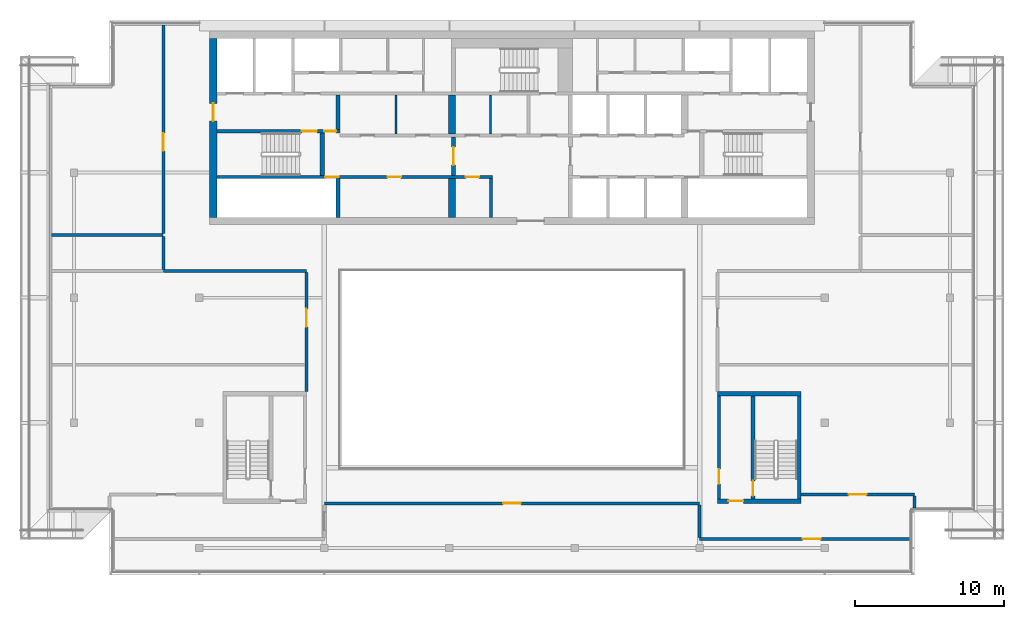
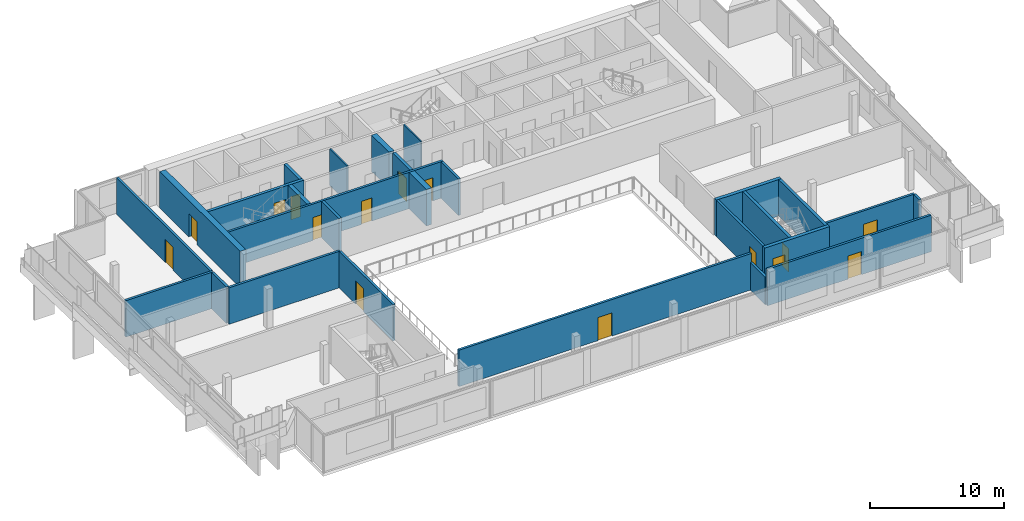
# One storey, part 11 of 20: 27 walls, 15 doors, 15 openings.
"""IFC4 building model written with IfcOpenShell, lengths in metres."""

import ifcopenshell
import ifcopenshell.guid

model = None  # the IFC model being written
_history = None  # IfcOwnerHistory: only IFC2X3 demands one
_inside = {}  # id of a spatial element -> (the spatial element, [elements in it])
_under = {}  # id of a project, library or spatial element -> (it, [spatial elements below it])
_declared = {}  # id of a project -> (the project, [libraries it declares])
_typed = {}  # id of a type object -> (the type object, [elements of that type])
_made_of = {}  # id of a material, layer set ... -> (it, [elements and type objects made of it])


def new_model(schema):
    """Start an empty IFC model of exactly this schema.

    Asked for "IFC4X3", IfcOpenShell would pick the latest addendum, in which some entities
    have other attributes; the version numbers below select the first issue.
    IFC2X3 requires an IfcOwnerHistory on every rooted entity: one is made here for all.
    """
    global model, _history
    if schema == "IFC4X3":
        model = ifcopenshell.file(schema_version=(4, 3, 0, 0))
    else:
        model = ifcopenshell.file(schema=schema)
    _inside.clear()
    _under.clear()
    _declared.clear()
    _typed.clear()
    _made_of.clear()
    _history = None
    if model.schema == "IFC2X3":
        org = make("IfcOrganization", Name="unknown")
        user = make(
            "IfcPersonAndOrganization",
            ThePerson=make("IfcPerson", FamilyName="unknown"),
            TheOrganization=org,
        )
        app = make(
            "IfcApplication",
            ApplicationDeveloper=org,
            Version="unknown",
            ApplicationFullName="unknown",
            ApplicationIdentifier="unknown",
        )
        _history = make(
            "IfcOwnerHistory",
            OwningUser=user,
            OwningApplication=app,
            ChangeAction="ADDED",
            CreationDate=0,
        )
    return model


def make(cls, **values):
    """One entity of the class cls with the attributes given. An attribute that is None is left unset."""
    return model.create_entity(
        cls, **{name: value for name, value in values.items() if value is not None}
    )


def rooted(cls, **values):
    """An entity with a GlobalId (a new one), such as an element, a storey or a relation."""
    return make(cls, GlobalId=ifcopenshell.guid.new(), OwnerHistory=_history, **values)


def si_unit(unit_type, name, prefix=None):
    """IfcSIUnit, for example si_unit("LENGTHUNIT", "METRE", prefix="MILLI")."""
    return make("IfcSIUnit", UnitType=unit_type, Prefix=prefix, Name=name)


def assignment(units):
    """IfcUnitAssignment: the units of a project."""
    return None if units is None else make("IfcUnitAssignment", Units=units)


def point(xyz):
    """IfcCartesianPoint."""
    return None if xyz is None else make("IfcCartesianPoint", Coordinates=xyz)


def direction(xyz):
    """IfcDirection."""
    return None if xyz is None else make("IfcDirection", DirectionRatios=xyz)


def frame(location, z_axis=None, x_axis=None):
    """IfcAxis2Placement3D, a coordinate frame: its origin and axes. An axis left out is left unset."""
    return make(
        "IfcAxis2Placement3D",
        Location=point(location),
        Axis=direction(z_axis),
        RefDirection=direction(x_axis),
    )


def frame_2d(location, x_axis=None):
    """IfcAxis2Placement2D, a coordinate frame in the plane: its origin and x axis."""
    return make(
        "IfcAxis2Placement2D", Location=point(location), RefDirection=direction(x_axis)
    )


def origin():
    """The frame at (0, 0, 0) with its axes left unset."""
    return frame((0.0, 0.0, 0.0))


def place(relative_to, where):
    """IfcLocalPlacement: puts the frame where relative to a parent placement (None: the world)."""
    return make(
        "IfcLocalPlacement", PlacementRelTo=relative_to, RelativePlacement=where
    )


def context(
    kind, dimensions, precision=None, world=None, true_north=None, identifier=None
):
    """IfcGeometricRepresentationContext, for example the 3D "Model" context."""
    return make(
        "IfcGeometricRepresentationContext",
        ContextIdentifier=identifier,
        ContextType=kind,
        CoordinateSpaceDimension=dimensions,
        Precision=precision,
        WorldCoordinateSystem=world,
        TrueNorth=true_north,
    )


def subcontext(parent, identifier, kind, view, scale=None):
    """IfcGeometricRepresentationSubContext, for example "Body" below "Model"."""
    return make(
        "IfcGeometricRepresentationSubContext",
        ContextIdentifier=identifier,
        ContextType=kind,
        ParentContext=parent,
        TargetScale=scale,
        TargetView=view,
    )


def project(units=None, contexts=None):
    """IfcProject with its units and contexts."""
    return rooted(
        "IfcProject",
        Name="project",
        RepresentationContexts=contexts,
        UnitsInContext=assignment(units),
    )


def spatial(cls, under=None, at=None, **own):
    """A site, building, storey or space (cls), placed at a placement, below another one or the project."""
    s = rooted(cls, ObjectPlacement=at, **own)
    if under is not None:
        _under.setdefault(under.id(), (under, []))[1].append(s)
    return s


def profile(cls, at=None, kind="AREA", **sizes):
    """A parametric profile (cls). Its sizes go by their IFC names, for example OverallWidth=200.0."""
    return make(cls, ProfileType=kind, Position=at, **sizes)


def rectangle(**sizes):
    """IfcRectangleProfileDef."""
    return profile("IfcRectangleProfileDef", **sizes)


def extrude(swept, where, along, depth):
    """IfcExtrudedAreaSolid: the profile swept, set in the frame where, extruded along a direction by depth."""
    return make(
        "IfcExtrudedAreaSolid",
        SweptArea=swept,
        Position=where,
        ExtrudedDirection=direction(along),
        Depth=depth,
    )


def shape(context_of_items, identifier, shape_type, items):
    """IfcShapeRepresentation: the items that make up one representation, for example the "Body"."""
    return make(
        "IfcShapeRepresentation",
        ContextOfItems=context_of_items,
        RepresentationIdentifier=identifier,
        RepresentationType=shape_type,
        Items=items,
    )


def material(Name=None, Category=None):
    """IfcMaterial."""
    return make("IfcMaterial", Name=Name, Category=Category)


def layer(
    of_material, thickness, ventilated=None, Name=None, Category=None, Priority=None
):
    """IfcMaterialLayer: one layer of a wall or slab, of a material (None: an air gap)."""
    return make(
        "IfcMaterialLayer",
        Material=of_material,
        LayerThickness=thickness,
        IsVentilated=ventilated,
        Name=Name,
        Category=Category,
        Priority=Priority,
    )


def layer_set(layers, Name=None):
    """IfcMaterialLayerSet."""
    return make("IfcMaterialLayerSet", MaterialLayers=layers, LayerSetName=Name)


def made_of(thing, what):
    """Note that an element or type object is made of a material, layer set ...; save() writes the relation."""
    if what is not None:
        _made_of.setdefault(what.id(), (what, []))[1].append(thing)
    return thing


def type_object(cls, material=None, **own):
    """A type object (cls), such as IfcWallType, which elements share."""
    return made_of(rooted(cls, **own), material)


def element(
    cls,
    number,
    at=None,
    inside=None,
    cuts=None,
    type_object=None,
    material=None,
    context=None,
    identifier="Body",
    shape_type=None,
    held_by="IfcProductDefinitionShape",
    body=None,
    shapes=None,
    **own,
):
    """One element of the class cls, such as IfcWall. Its Tag is "e" and its number.

    at: its placement. inside: the storey or other place that contains it. cuts: it is an
    opening in that element (IfcRelVoidsElement). A single representation is given by context,
    identifier, shape_type and body (its items); several are given by shapes. held_by: the class
    of the entity that holds the representations. save() writes the other relations.
    """
    e = rooted(cls, Tag="e%d" % number, ObjectPlacement=at, **own)
    if body is not None:
        shapes = [shape(context, identifier, shape_type, body)]
    if shapes is not None:
        e.Representation = make(held_by, Representations=shapes)
    if inside is not None:
        _inside.setdefault(inside.id(), (inside, []))[1].append(e)
    if cuts is not None:
        rooted(
            "IfcRelVoidsElement", RelatingBuildingElement=cuts, RelatedOpeningElement=e
        )
    if type_object is not None:
        _typed.setdefault(type_object.id(), (type_object, []))[1].append(e)
    return made_of(e, material)


def fill(opening, filler):
    """IfcRelFillsElement: the door or window that sits in an opening."""
    return rooted(
        "IfcRelFillsElement",
        RelatingOpeningElement=opening,
        RelatedBuildingElement=filler,
    )


def aggregate(whole, parts):
    """IfcRelAggregates: a whole, such as a stair, and the parts it consists of."""
    return rooted("IfcRelAggregates", RelatingObject=whole, RelatedObjects=parts)


def save(model, path):
    """Write the relations noted so far, then the file.

    IfcRelAggregates (storeys below a building ...), IfcRelContainedInSpatialStructure (elements
    in a storey), IfcRelDefinesByType, IfcRelAssociatesMaterial and IfcRelDeclares: one each for
    every whole, place, type object, material and project.
    """
    for whole, parts in _under.values():
        aggregate(whole, parts)
    for where, things in _inside.values():
        rooted(
            "IfcRelContainedInSpatialStructure",
            RelatedElements=things,
            RelatingStructure=where,
        )
    for kind, things in _typed.values():
        rooted("IfcRelDefinesByType", RelatedObjects=things, RelatingType=kind)
    for what, things in _made_of.values():
        rooted("IfcRelAssociatesMaterial", RelatedObjects=things, RelatingMaterial=what)
    for by, libraries in _declared.values():
        rooted("IfcRelDeclares", RelatingContext=by, RelatedDefinitions=libraries)
    model.write(path)


model = new_model("IFC4")

# Units and contexts
model_context = context("Model", 3, precision=1e-05, world=origin(), true_north=direction((0.0, 1.0)))
body_context = subcontext(model_context, "Body", "Model", "MODEL_VIEW")
ifc_project = project(units=[si_unit("LENGTHUNIT", "METRE"), si_unit("AREAUNIT", "SQUARE_METRE"), si_unit("VOLUMEUNIT", "CUBIC_METRE"), si_unit("PLANEANGLEUNIT", "RADIAN"), si_unit("MASSUNIT", "GRAM", prefix="KILO")], contexts=[model_context])

# Site, building, storey
site_placement = place(None, origin())
site = spatial("IfcSite", under=ifc_project, at=site_placement, CompositionType="ELEMENT")
building_placement = place(site_placement, origin())
building = spatial("IfcBuilding", under=site, at=building_placement, Name="Saffron Gate Tower", CompositionType="ELEMENT")
storey_placement = place(building_placement, frame((0.0, 0.0, 303.14990234375)))
storey = spatial("IfcBuildingStorey", under=building, at=storey_placement, Name="L74", CompositionType="ELEMENT", Elevation=303.14990234375)

# Wall
ifc_material_1 = material(Name="Gypsum board partition on steel studs", Category="steel")
ifc_layer_1 = layer(ifc_material_1, 0.199951171875)
ifc_layer_set_1 = layer_set([ifc_layer_1], Name="CW10 Core partition 200")
wall_type_1 = type_object("IfcWallType", Name="CW10 Core partition 200", PredefinedType="PARTITIONING", material=ifc_layer_set_1)
wall_1_placement = place(storey_placement, frame((86.199951171875, 62.39990234375, 0.0), z_axis=(0.0, 0.0, 1.0), x_axis=(0.0, 1.0, 0.0)))
element("IfcWall", 1, at=wall_1_placement, inside=storey, type_object=wall_type_1, Name="Wall CW10-L74-7", PredefinedType="PARTITIONING", context=body_context, shape_type="SweptSolid", body=[
    extrude(rectangle(XDim=2.60009765625, YDim=0.199951171875, at=frame_2d((1.300048828125, 0.0))), origin(), (0.0, 0.0, 1.0), 3.320068359375),
])

# Wall, opening, door
wall_2_placement = place(storey_placement, frame((101.5, 43.5, 0.0), z_axis=(0.0, 0.0, 1.0), x_axis=(0.0, 1.0, 0.0)))
wall_2 = element("IfcWall", 2, at=wall_2_placement, inside=storey, type_object=wall_type_1, Name="Wall CW10-L74-E-2", PredefinedType="PARTITIONING", context=body_context, shape_type="SweptSolid", body=[
    extrude(rectangle(XDim=6.89990234375, YDim=0.199951171875, at=frame_2d((3.449951171875, 0.0))), origin(), (0.0, 0.0, 1.0), 3.320068359375),
])
opening_1_placement = place(wall_2_placement, frame((1.0, 0.0, 0.0)))
opening_1 = element("IfcOpeningElement", 3, at=opening_1_placement, cuts=wall_2, Name="Opening CR-22", PredefinedType="OPENING", context=body_context, shape_type="SweptSolid", body=[
    extrude(rectangle(XDim=1.0, YDim=2.10009765625, at=frame_2d((0.5, 1.050048828125))), frame((0.0, 0.10986328125, 0.0), z_axis=(0.0, -1.0, 0.0), x_axis=(1.0, 0.0, 0.0)), (0.0, 0.0, 1.0), 0.219970703125),
])
ifc_material_2 = material(Name="Steel fire door set", Category="steel")
door_type_1 = type_object("IfcDoorType", Name="CD4 Lobby door 1000x2100 EI 120", OperationType="NOTDEFINED", PredefinedType="DOOR", material=ifc_material_2)
door_1_placement = place(opening_1_placement, origin())
door_1 = element("IfcDoor", 4, at=door_1_placement, inside=storey, type_object=door_type_1, Name="DOOR CR-22", OperationType="SINGLE_SWING_LEFT", OverallHeight=2.10009765625, OverallWidth=1.0, PredefinedType="DOOR", context=body_context, shape_type="SweptSolid", body=[
    extrude(rectangle(XDim=1.0, YDim=2.10009765625, at=frame_2d((0.5, 1.050048828125))), frame((0.0, 0.02490234375, 0.0), z_axis=(0.0, -1.0, 0.0), x_axis=(1.0, 0.0, 0.0)), (0.0, 0.0, 1.0), 0.050048828125),
])
fill(opening_1, door_1)

ifc_material_3 = material(Name="Concrete C50", Category="concrete")
ifc_layer_2 = layer(ifc_material_3, 0.5)
ifc_layer_set_2 = layer_set([ifc_layer_2], Name="CW22 RC core wall 500 C50")
wall_type_2 = type_object("IfcWallType", Name="CW22 RC core wall 500 C50", PredefinedType="SOLIDWALL", material=ifc_layer_set_2)
wall_3_placement = place(storey_placement, frame((67.550048828125, 62.39990234375, 0.0), z_axis=(0.0, 0.0, 1.0), x_axis=(0.0, 1.0, 0.0)))
wall_3 = element("IfcWall", 5, at=wall_3_placement, inside=storey, type_object=wall_type_2, Name="Wall CW22-L74-3", PredefinedType="SOLIDWALL", context=body_context, shape_type="SweptSolid", body=[
    extrude(rectangle(XDim=12.0, YDim=0.5, at=frame_2d((6.0, 0.0))), origin(), (0.0, 0.0, 1.0), 3.320068359375),
])
opening_2_placement = place(wall_3_placement, frame((6.449951171875, 0.0, 0.0)))
opening_2 = element("IfcOpeningElement", 6, at=opening_2_placement, cuts=wall_3, Name="Opening CR-10", PredefinedType="OPENING", context=body_context, shape_type="SweptSolid", body=[
    extrude(rectangle(XDim=1.199951171875, YDim=2.10009765625, at=frame_2d((0.60009765625, 1.050048828125))), frame((0.0, 0.260009765625, 0.0), z_axis=(0.0, -1.0, 0.0), x_axis=(1.0, 0.0, 0.0)), (0.0, 0.0, 1.0), 0.52001953125),
])
door_type_2 = type_object("IfcDoorType", Name="CD7 Core entrance door 1200x2100 EI 120", OperationType="NOTDEFINED", PredefinedType="DOOR", material=ifc_material_2)
door_2_placement = place(opening_2_placement, origin())
door_2 = element("IfcDoor", 7, at=door_2_placement, inside=storey, type_object=door_type_2, Name="DOOR CR-10", OperationType="SINGLE_SWING_LEFT", OverallHeight=2.10009765625, OverallWidth=1.199951171875, PredefinedType="DOOR", context=body_context, shape_type="SweptSolid", body=[
    extrude(rectangle(XDim=1.199951171875, YDim=2.10009765625, at=frame_2d((0.60009765625, 1.050048828125))), frame((0.0, 0.02490234375, 0.0), z_axis=(0.0, -1.0, 0.0), x_axis=(1.0, 0.0, 0.0)), (0.0, 0.0, 1.0), 0.050048828125),
])
fill(opening_2, door_2)

# Wall
ifc_layer_3 = layer(ifc_material_3, 0.25)
ifc_layer_set_3 = layer_set([ifc_layer_3], Name="CW23 RC core wall 250 C50")
wall_type_3 = type_object("IfcWallType", Name="CW23 RC core wall 250 C50", PredefinedType="SOLIDWALL", material=ifc_layer_set_3)
wall_4_placement = place(storey_placement, frame((75.925048828125, 62.39990234375, 0.0), z_axis=(0.0, 0.0, 1.0), x_axis=(0.0, 1.0, 0.0)))
element("IfcWall", 8, at=wall_4_placement, inside=storey, type_object=wall_type_3, Name="Wall CW23-L74-5", PredefinedType="SOLIDWALL", context=body_context, shape_type="SweptSolid", body=[
    extrude(rectangle(XDim=2.60009765625, YDim=0.25, at=frame_2d((1.300048828125, 0.0))), origin(), (0.0, 0.0, 1.0), 3.320068359375),
])

# Wall, opening, door
wall_5_placement = place(storey_placement, frame((83.675048828125, 65.199951171875, 0.0), z_axis=(0.0, 0.0, 1.0), x_axis=(0.0, 1.0, 0.0)))
wall_5 = element("IfcWall", 9, at=wall_5_placement, inside=storey, type_object=wall_type_3, Name="Wall CW23-L74-15", PredefinedType="SOLIDWALL", context=body_context, shape_type="SweptSolid", body=[
    extrude(rectangle(XDim=2.60009765625, YDim=0.25, at=frame_2d((1.300048828125, 0.0))), origin(), (0.0, 0.0, 1.0), 3.320068359375),
])
opening_3_placement = place(wall_5_placement, frame((0.699951171875, 0.0, 0.0)))
opening_3 = element("IfcOpeningElement", 10, at=opening_3_placement, cuts=wall_5, Name="Opening CR-07", PredefinedType="OPENING", context=body_context, shape_type="SweptSolid", body=[
    extrude(rectangle(XDim=1.199951171875, YDim=2.10009765625, at=frame_2d((0.60009765625, 1.050048828125))), frame((0.0, 0.135009765625, 0.0), z_axis=(0.0, -1.0, 0.0), x_axis=(1.0, 0.0, 0.0)), (0.0, 0.0, 1.0), 0.27001953125),
])
door_type_3 = type_object("IfcDoorType", Name="CD3 Lobby door 1200x2100 EI 120", OperationType="NOTDEFINED", PredefinedType="DOOR", material=ifc_material_2)
door_3_placement = place(opening_3_placement, origin())
door_3 = element("IfcDoor", 11, at=door_3_placement, inside=storey, type_object=door_type_3, Name="DOOR CR-07", OperationType="SINGLE_SWING_RIGHT", OverallHeight=2.10009765625, OverallWidth=1.199951171875, PredefinedType="DOOR", context=body_context, shape_type="SweptSolid", body=[
    extrude(rectangle(XDim=1.199951171875, YDim=2.10009765625, at=frame_2d((0.60009765625, 1.050048828125))), frame((0.0, 0.02490234375, 0.0), z_axis=(0.0, -1.0, 0.0), x_axis=(1.0, 0.0, 0.0)), (0.0, 0.0, 1.0), 0.050048828125),
])
fill(opening_3, door_3)

# Wall, openings, doors
wall_6_placement = place(storey_placement, frame((67.800048828125, 68.175048828125, 0.0), z_axis=(0.0, 0.0, 1.0), x_axis=(1.0, 0.0, 0.0)))
wall_6 = element("IfcWall", 12, at=wall_6_placement, inside=storey, type_object=wall_type_3, Name="Wall CW23-L74-27", PredefinedType="SOLIDWALL", context=body_context, shape_type="SweptSolid", body=[
    extrude(rectangle(XDim=8.25, YDim=0.25, at=frame_2d((4.125, 0.0))), origin(), (0.0, 0.0, 1.0), 3.320068359375),
])
opening_4_placement = place(wall_6_placement, frame((5.699951171875, 0.0, 0.0)))
opening_4 = element("IfcOpeningElement", 13, at=opening_4_placement, cuts=wall_6, Name="Opening CR-15", PredefinedType="OPENING", context=body_context, shape_type="SweptSolid", body=[
    extrude(rectangle(XDim=1.0, YDim=2.10009765625, at=frame_2d((0.5, 1.050048828125))), frame((0.0, 0.135009765625, 0.0), z_axis=(0.0, -1.0, 0.0), x_axis=(1.0, 0.0, 0.0)), (0.0, 0.0, 1.0), 0.27001953125),
])
opening_5_placement = place(wall_6_placement, frame((7.199951171875, 0.0, 0.0)))
opening_5 = element("IfcOpeningElement", 14, at=opening_5_placement, cuts=wall_6, Name="Opening CR-06", PredefinedType="OPENING", context=body_context, shape_type="SweptSolid", body=[
    extrude(rectangle(XDim=0.800048828125, YDim=2.10009765625, at=frame_2d((0.39990234375, 1.050048828125))), frame((0.0, 0.135009765625, 0.0), z_axis=(0.0, -1.0, 0.0), x_axis=(1.0, 0.0, 0.0)), (0.0, 0.0, 1.0), 0.27001953125),
])
door_type_4 = type_object("IfcDoorType", Name="CD5 Stair door 1000x2100 EI 120", OperationType="NOTDEFINED", PredefinedType="DOOR", material=ifc_material_2)
door_4_placement = place(opening_4_placement, origin())
door_4 = element("IfcDoor", 15, at=door_4_placement, inside=storey, type_object=door_type_4, Name="DOOR CR-15", OperationType="SINGLE_SWING_RIGHT", OverallHeight=2.10009765625, OverallWidth=1.0, PredefinedType="DOOR", context=body_context, shape_type="SweptSolid", body=[
    extrude(rectangle(XDim=1.0, YDim=2.10009765625, at=frame_2d((0.5, 1.050048828125))), frame((0.0, 0.02490234375, 0.0), z_axis=(0.0, -1.0, 0.0), x_axis=(1.0, 0.0, 0.0)), (0.0, 0.0, 1.0), 0.050048828125),
])
fill(opening_4, door_4)
door_type_5 = type_object("IfcDoorType", Name="CD6 Lobby door 800x2100 EI 120", OperationType="NOTDEFINED", PredefinedType="DOOR", material=ifc_material_2)
door_5_placement = place(opening_5_placement, origin())
door_5 = element("IfcDoor", 16, at=door_5_placement, inside=storey, type_object=door_type_5, Name="DOOR CR-06", OperationType="SINGLE_SWING_LEFT", OverallHeight=2.10009765625, OverallWidth=0.800048828125, PredefinedType="DOOR", context=body_context, shape_type="SweptSolid", body=[
    extrude(rectangle(XDim=0.800048828125, YDim=2.10009765625, at=frame_2d((0.39990234375, 1.050048828125))), frame((0.0, 0.02490234375, 0.0), z_axis=(0.0, -1.0, 0.0), x_axis=(1.0, 0.0, 0.0)), (0.0, 0.0, 1.0), 0.050048828125),
])
fill(opening_5, door_5)

# Wall
wall_7_placement = place(storey_placement, frame((75.925048828125, 68.300048828125, 0.0), z_axis=(0.0, 0.0, 1.0), x_axis=(0.0, 1.0, 0.0)))
element("IfcWall", 17, at=wall_7_placement, inside=storey, type_object=wall_type_3, Name="Wall CW23-L74-29", PredefinedType="SOLIDWALL", context=body_context, shape_type="SweptSolid", body=[
    extrude(rectangle(XDim=2.300048828125, YDim=0.25, at=frame_2d((1.14990234375, 0.0))), origin(), (0.0, 0.0, 1.0), 3.320068359375),
])

# Wall, opening, door
wall_8_placement = place(storey_placement, frame((103.77490234375, 43.5, 0.0), z_axis=(0.0, 0.0, 1.0), x_axis=(0.0, 1.0, 0.0)))
wall_8 = element("IfcWall", 18, at=wall_8_placement, inside=storey, type_object=wall_type_3, Name="Wall CW23-L74-E-3", PredefinedType="SOLIDWALL", context=body_context, shape_type="SweptSolid", body=[
    extrude(rectangle(XDim=6.89990234375, YDim=0.25, at=frame_2d((3.449951171875, 0.0))), origin(), (0.0, 0.0, 1.0), 3.320068359375),
])
opening_6_placement = place(wall_8_placement, frame((0.199951171875, 0.0, 0.0)))
opening_6 = element("IfcOpeningElement", 19, at=opening_6_placement, cuts=wall_8, Name="Opening CR-23", PredefinedType="OPENING", context=body_context, shape_type="SweptSolid", body=[
    extrude(rectangle(XDim=1.0, YDim=2.10009765625, at=frame_2d((0.5, 1.050048828125))), frame((0.0, 0.135009765625, 0.0), z_axis=(0.0, -1.0, 0.0), x_axis=(1.0, 0.0, 0.0)), (0.0, 0.0, 1.0), 0.27001953125),
])
door_6_placement = place(opening_6_placement, origin())
door_6 = element("IfcDoor", 20, at=door_6_placement, inside=storey, type_object=door_type_4, Name="DOOR CR-23", OperationType="SINGLE_SWING_RIGHT", OverallHeight=2.10009765625, OverallWidth=1.0, PredefinedType="DOOR", context=body_context, shape_type="SweptSolid", body=[
    extrude(rectangle(XDim=1.0, YDim=2.10009765625, at=frame_2d((0.5, 1.050048828125))), frame((0.0, 0.02490234375, 0.0), z_axis=(0.0, -1.0, 0.0), x_axis=(1.0, 0.0, 0.0)), (0.0, 0.0, 1.0), 0.050048828125),
])
fill(opening_6, door_6)

# Walls
wall_9_placement = place(storey_placement, frame((106.875, 43.5, 0.0), z_axis=(0.0, 0.0, 1.0), x_axis=(0.0, 1.0, 0.0)))
element("IfcWall", 21, at=wall_9_placement, inside=storey, type_object=wall_type_3, Name="Wall CW23-L74-E-4", PredefinedType="SOLIDWALL", context=body_context, shape_type="SweptSolid", body=[
    extrude(rectangle(XDim=6.89990234375, YDim=0.25, at=frame_2d((3.449951171875, 0.0))), origin(), (0.0, 0.0, 1.0), 3.320068359375),
])
ifc_layer_4 = layer(ifc_material_3, 0.449951171875)
ifc_layer_set_4 = layer_set([ifc_layer_4], Name="CW24 RC core wall 450 C50")
wall_type_4 = type_object("IfcWallType", Name="CW24 RC core wall 450 C50", PredefinedType="SOLIDWALL", material=ifc_layer_set_4)
for number, where, z_axis, x_axis, name in (
    (22, (83.574951171875, 62.39990234375, 0.0), (0.0, 0.0, 1.0), (0.0, 1.0, 0.0), "Wall CW24-L74-6"),
    (23, (83.574951171875, 68.0, 0.0), (0.0, 0.0, 1.0), (0.0, 1.0, 0.0), "Wall CW24-L74-20"),
):
    element("IfcWall", number, at=place(storey_placement, frame(where, z_axis=z_axis, x_axis=x_axis)), inside=storey, type_object=wall_type_4, Name=name, PredefinedType="SOLIDWALL", context=body_context, shape_type="SweptSolid", body=[
        extrude(rectangle(XDim=2.60009765625, YDim=0.449951171875, at=frame_2d((1.300048828125, 0.0))), origin(), (0.0, 0.0, 1.0), 3.320068359375),
    ])

# Wall, openings, doors
ifc_layer_5 = layer(ifc_material_3, 0.199951171875)
ifc_layer_set_5 = layer_set([ifc_layer_5], Name="CW25 RC core wall 200 C50")
wall_type_5 = type_object("IfcWallType", Name="CW25 RC core wall 200 C50", PredefinedType="SOLIDWALL", material=ifc_layer_set_5)
wall_10_placement = place(storey_placement, frame((67.800048828125, 65.10009765625, 0.0), z_axis=(0.0, 0.0, 1.0), x_axis=(1.0, 0.0, 0.0)))
wall_10 = element("IfcWall", 24, at=wall_10_placement, inside=storey, type_object=wall_type_5, Name="Wall CW25-L74-12", PredefinedType="SOLIDWALL", context=body_context, shape_type="SweptSolid", body=[
    extrude(rectangle(XDim=18.5, YDim=0.199951171875, at=frame_2d((9.25, 0.0))), origin(), (0.0, 0.0, 1.0), 3.320068359375),
])
opening_7_placement = place(wall_10_placement, frame((7.27001953125, 0.0, 0.0)))
opening_7 = element("IfcOpeningElement", 25, at=opening_7_placement, cuts=wall_10, Name="Opening CR-49", PredefinedType="OPENING", context=body_context, shape_type="SweptSolid", body=[
    extrude(rectangle(XDim=0.89990234375, YDim=2.10009765625, at=frame_2d((0.449951171875, 1.050048828125))), frame((0.0, 0.10986328125, 0.0), z_axis=(0.0, -1.0, 0.0), x_axis=(1.0, 0.0, 0.0)), (0.0, 0.0, 1.0), 0.219970703125),
])
opening_8_placement = place(wall_10_placement, frame((11.449951171875, 0.0, 0.0)))
opening_8 = element("IfcOpeningElement", 26, at=opening_8_placement, cuts=wall_10, Name="Opening CR-64", PredefinedType="OPENING", context=body_context, shape_type="SweptSolid", body=[
    extrude(rectangle(XDim=0.89990234375, YDim=2.10009765625, at=frame_2d((0.449951171875, 1.050048828125))), frame((0.0, 0.10986328125, 0.0), z_axis=(0.0, -1.0, 0.0), x_axis=(1.0, 0.0, 0.0)), (0.0, 0.0, 1.0), 0.219970703125),
])
opening_9_placement = place(wall_10_placement, frame((16.699951171875, 0.0, 0.0)))
opening_9 = element("IfcOpeningElement", 27, at=opening_9_placement, cuts=wall_10, Name="Opening CR-69", PredefinedType="OPENING", context=body_context, shape_type="SweptSolid", body=[
    extrude(rectangle(XDim=0.89990234375, YDim=2.10009765625, at=frame_2d((0.449951171875, 1.050048828125))), frame((0.0, 0.10986328125, 0.0), z_axis=(0.0, -1.0, 0.0), x_axis=(1.0, 0.0, 0.0)), (0.0, 0.0, 1.0), 0.219970703125),
])
door_type_6 = type_object("IfcDoorType", Name="CD2 Riser door 900x2100 EI 60", OperationType="NOTDEFINED", PredefinedType="DOOR", material=ifc_material_2)
door_7_placement = place(opening_7_placement, origin())
door_7 = element("IfcDoor", 28, at=door_7_placement, inside=storey, type_object=door_type_6, Name="DOOR CR-49", OperationType="SINGLE_SWING_LEFT", OverallHeight=2.10009765625, OverallWidth=0.89990234375, PredefinedType="DOOR", context=body_context, shape_type="SweptSolid", body=[
    extrude(rectangle(XDim=0.89990234375, YDim=2.10009765625, at=frame_2d((0.449951171875, 1.050048828125))), frame((0.0, 0.02490234375, 0.0), z_axis=(0.0, -1.0, 0.0), x_axis=(1.0, 0.0, 0.0)), (0.0, 0.0, 1.0), 0.050048828125),
])
fill(opening_7, door_7)
door_type_7 = type_object("IfcDoorType", Name="CD9 Room door 900x2100 EI 60", OperationType="NOTDEFINED", PredefinedType="DOOR", material=ifc_material_2)
door_8_placement = place(opening_8_placement, origin())
door_8 = element("IfcDoor", 29, at=door_8_placement, inside=storey, type_object=door_type_7, Name="DOOR CR-64", OperationType="SINGLE_SWING_RIGHT", OverallHeight=2.10009765625, OverallWidth=0.89990234375, PredefinedType="DOOR", context=body_context, shape_type="SweptSolid", body=[
    extrude(rectangle(XDim=0.89990234375, YDim=2.10009765625, at=frame_2d((0.449951171875, 1.050048828125))), frame((0.0, 0.02490234375, 0.0), z_axis=(0.0, -1.0, 0.0), x_axis=(1.0, 0.0, 0.0)), (0.0, 0.0, 1.0), 0.050048828125),
])
fill(opening_8, door_8)
door_9_placement = place(opening_9_placement, origin())
door_9 = element("IfcDoor", 30, at=door_9_placement, inside=storey, type_object=door_type_7, Name="DOOR CR-69", OperationType="SINGLE_SWING_RIGHT", OverallHeight=2.10009765625, OverallWidth=0.89990234375, PredefinedType="DOOR", context=body_context, shape_type="SweptSolid", body=[
    extrude(rectangle(XDim=0.89990234375, YDim=2.10009765625, at=frame_2d((0.449951171875, 1.050048828125))), frame((0.0, 0.02490234375, 0.0), z_axis=(0.0, -1.0, 0.0), x_axis=(1.0, 0.0, 0.0)), (0.0, 0.0, 1.0), 0.050048828125),
])
fill(opening_9, door_9)

# Wall
ifc_layer_6 = layer(ifc_material_3, 0.300048828125)
ifc_layer_set_6 = layer_set([ifc_layer_6], Name="CW26 RC core wall 300 C50")
wall_type_6 = type_object("IfcWallType", Name="CW26 RC core wall 300 C50", PredefinedType="SOLIDWALL", material=ifc_layer_set_6)
wall_11_placement = place(storey_placement, frame((74.85009765625, 65.199951171875, 0.0), z_axis=(0.0, 0.0, 1.0), x_axis=(0.0, 1.0, 0.0)))
element("IfcWall", 31, at=wall_11_placement, inside=storey, type_object=wall_type_6, Name="Wall CW26-L74-14", PredefinedType="SOLIDWALL", context=body_context, shape_type="SweptSolid", body=[
    extrude(rectangle(XDim=2.85009765625, YDim=0.300048828125, at=frame_2d((1.425048828125, 0.0))), origin(), (0.0, 0.0, 1.0), 3.320068359375),
])

# Wall, opening, door
wall_12_placement = place(storey_placement, frame((101.39990234375, 43.35009765625, 0.0), z_axis=(0.0, 0.0, 1.0), x_axis=(1.0, 0.0, 0.0)))
wall_12 = element("IfcWall", 32, at=wall_12_placement, inside=storey, type_object=wall_type_6, Name="Wall CW26-L74-E-1", PredefinedType="SOLIDWALL", context=body_context, shape_type="SweptSolid", body=[
    extrude(rectangle(XDim=5.60009765625, YDim=0.300048828125, at=frame_2d((2.800048828125, 0.0))), origin(), (0.0, 0.0, 1.0), 3.320068359375),
])
opening_10_placement = place(wall_12_placement, frame((0.72509765625, 0.0, 0.0)))
opening_10 = element("IfcOpeningElement", 33, at=opening_10_placement, cuts=wall_12, Name="Opening CR-21", PredefinedType="OPENING", context=body_context, shape_type="SweptSolid", body=[
    extrude(rectangle(XDim=1.0, YDim=2.10009765625, at=frame_2d((0.5, 1.050048828125))), frame((0.0, 0.16015625, 0.0), z_axis=(0.0, -1.0, 0.0), x_axis=(1.0, 0.0, 0.0)), (0.0, 0.0, 1.0), 0.320068359375),
])
door_10_placement = place(opening_10_placement, origin())
door_10 = element("IfcDoor", 34, at=door_10_placement, inside=storey, type_object=door_type_1, Name="DOOR CR-21", OperationType="SINGLE_SWING_RIGHT", OverallHeight=2.10009765625, OverallWidth=1.0, PredefinedType="DOOR", context=body_context, shape_type="SweptSolid", body=[
    extrude(rectangle(XDim=1.0, YDim=2.10009765625, at=frame_2d((0.5, 1.050048828125))), frame((0.0, 0.02490234375, 0.0), z_axis=(0.0, -1.0, 0.0), x_axis=(1.0, 0.0, 0.0)), (0.0, 0.0, 1.0), 0.050048828125),
])
fill(opening_10, door_10)

# Walls
wall_13_placement = place(storey_placement, frame((101.39990234375, 50.550048828125, 0.0), z_axis=(0.0, 0.0, 1.0), x_axis=(1.0, 0.0, 0.0)))
element("IfcWall", 35, at=wall_13_placement, inside=storey, type_object=wall_type_6, Name="Wall CW26-L74-E-5", PredefinedType="SOLIDWALL", context=body_context, shape_type="SweptSolid", body=[
    extrude(rectangle(XDim=5.60009765625, YDim=0.300048828125, at=frame_2d((2.800048828125, 0.0))), origin(), (0.0, 0.0, 1.0), 3.320068359375),
])
ifc_layer_7 = layer(ifc_material_1, 0.1201171875)
ifc_layer_set_7 = layer_set([ifc_layer_7], Name="CW8 Core partition 120")
wall_type_7 = type_object("IfcWallType", Name="CW8 Core partition 120", PredefinedType="PARTITIONING", material=ifc_layer_set_7)
for number, where, z_axis, x_axis, name in (
    (36, (79.81005859375, 68.0, 0.0), (0.0, 0.0, 1.0), (0.0, 1.0, 0.0), "Wall CW8-L74-19"),
    (37, (86.159912109375, 68.0, 0.0), (0.0, 0.0, 1.0), (0.0, 1.0, 0.0), "Wall CW8-L74-21"),
):
    element("IfcWall", number, at=place(storey_placement, frame(where, z_axis=z_axis, x_axis=x_axis)), inside=storey, type_object=wall_type_7, Name=name, PredefinedType="PARTITIONING", context=body_context, shape_type="SweptSolid", body=[
        extrude(rectangle(XDim=2.60009765625, YDim=0.1201171875, at=frame_2d((1.300048828125, 0.0))), origin(), (0.0, 0.0, 1.0), 3.320068359375),
    ])

# Wall, opening, door
ifc_material_4 = material(Name="Clay brick masonry, rendered", Category="masonry")
ifc_layer_8 = layer(ifc_material_4, 0.199951171875)
ifc_layer_set_8 = layer_set([ifc_layer_8], Name="PW3 Corridor wall 200")
wall_type_8 = type_object("IfcWallType", Name="PW3 Corridor wall 200", PredefinedType="PARTITIONING", material=ifc_layer_set_8)
wall_14_placement = place(storey_placement, frame((114.320068359375, 40.800048828125, 0.0), z_axis=(0.0, 0.0, 1.0), x_axis=(-1.0, 0.0, 0.0)))
wall_14 = element("IfcWall", 38, at=wall_14_placement, inside=storey, type_object=wall_type_8, Name="Wall E6-2", PredefinedType="PARTITIONING", context=body_context, shape_type="SweptSolid", body=[
    extrude(rectangle(XDim=14.1201171875, YDim=0.199951171875, at=frame_2d((7.06005859375, 0.0))), origin(), (0.0, 0.0, 1.0), 3.320068359375),
])
opening_11_placement = place(wall_14_placement, frame((6.010009765625, 0.0, 0.0)))
opening_11 = element("IfcOpeningElement", 39, at=opening_11_placement, cuts=wall_14, Name="Opening E6-6", PredefinedType="OPENING", context=body_context, shape_type="SweptSolid", body=[
    extrude(rectangle(XDim=1.199951171875, YDim=2.10009765625, at=frame_2d((0.60009765625, 1.050048828125))), frame((0.0, 0.10986328125, 0.0), z_axis=(0.0, -1.0, 0.0), x_axis=(1.0, 0.0, 0.0)), (0.0, 0.0, 1.0), 0.219970703125),
])
ifc_material_5 = material(Name="Timber door set", Category="wood")
door_type_8 = type_object("IfcDoorType", Name="HD1 Hall door 1200x2100", OperationType="NOTDEFINED", PredefinedType="DOOR", material=ifc_material_5)
door_11_placement = place(opening_11_placement, origin())
door_11 = element("IfcDoor", 40, at=door_11_placement, inside=storey, type_object=door_type_8, Name="Door E6-6", OperationType="SINGLE_SWING_RIGHT", OverallHeight=2.10009765625, OverallWidth=1.199951171875, PredefinedType="DOOR", context=body_context, shape_type="SweptSolid", body=[
    extrude(rectangle(XDim=1.199951171875, YDim=2.10009765625, at=frame_2d((0.60009765625, 1.050048828125))), frame((0.0, 0.02490234375, 0.0), z_axis=(0.0, -1.0, 0.0), x_axis=(1.0, 0.0, 0.0)), (0.0, 0.0, 1.0), 0.050048828125),
])
fill(opening_11, door_11)

wall_15_placement = place(storey_placement, frame((100.199951171875, 43.199951171875, 0.0), z_axis=(0.0, 0.0, 1.0), x_axis=(-1.0, 0.0, 0.0)))
wall_15 = element("IfcWall", 41, at=wall_15_placement, inside=storey, type_object=wall_type_8, Name="Wall E6-3", PredefinedType="PARTITIONING", context=body_context, shape_type="SweptSolid", body=[
    extrude(rectangle(XDim=25.199951171875, YDim=0.199951171875, at=frame_2d((12.60009765625, 0.0))), origin(), (0.0, 0.0, 1.0), 3.320068359375),
])
opening_12_placement = place(wall_15_placement, frame((12.0, 0.0, 0.0)))
opening_12 = element("IfcOpeningElement", 42, at=opening_12_placement, cuts=wall_15, Name="Opening E6-4", PredefinedType="OPENING", context=body_context, shape_type="SweptSolid", body=[
    extrude(rectangle(XDim=1.199951171875, YDim=2.10009765625, at=frame_2d((0.60009765625, 1.050048828125))), frame((0.0, 0.10986328125, 0.0), z_axis=(0.0, -1.0, 0.0), x_axis=(1.0, 0.0, 0.0)), (0.0, 0.0, 1.0), 0.219970703125),
])
door_12_placement = place(opening_12_placement, origin())
door_12 = element("IfcDoor", 43, at=door_12_placement, inside=storey, type_object=door_type_8, Name="Door E6-4", OperationType="SINGLE_SWING_RIGHT", OverallHeight=2.10009765625, OverallWidth=1.199951171875, PredefinedType="DOOR", context=body_context, shape_type="SweptSolid", body=[
    extrude(rectangle(XDim=1.199951171875, YDim=2.10009765625, at=frame_2d((0.60009765625, 1.050048828125))), frame((0.0, 0.02490234375, 0.0), z_axis=(0.0, -1.0, 0.0), x_axis=(1.0, 0.0, 0.0)), (0.0, 0.0, 1.0), 0.050048828125),
])
fill(opening_12, door_12)

wall_16_placement = place(storey_placement, frame((107.0, 43.800048828125, 0.0), z_axis=(0.0, 0.0, 1.0), x_axis=(1.0, 0.0, 0.0)))
wall_16 = element("IfcWall", 44, at=wall_16_placement, inside=storey, type_object=wall_type_8, Name="Wall E6-5", PredefinedType="PARTITIONING", context=body_context, shape_type="SweptSolid", body=[
    extrude(rectangle(XDim=7.60009765625, YDim=0.199951171875, at=frame_2d((3.800048828125, 0.0))), origin(), (0.0, 0.0, 1.0), 3.320068359375),
])
opening_13_placement = place(wall_16_placement, frame((3.199951171875, 0.0, 0.0)))
opening_13 = element("IfcOpeningElement", 45, at=opening_13_placement, cuts=wall_16, Name="Opening E6-5", PredefinedType="OPENING", context=body_context, shape_type="SweptSolid", body=[
    extrude(rectangle(XDim=1.199951171875, YDim=2.10009765625, at=frame_2d((0.60009765625, 1.050048828125))), frame((0.0, 0.10986328125, 0.0), z_axis=(0.0, -1.0, 0.0), x_axis=(1.0, 0.0, 0.0)), (0.0, 0.0, 1.0), 0.219970703125),
])
door_13_placement = place(opening_13_placement, origin())
door_13 = element("IfcDoor", 46, at=door_13_placement, inside=storey, type_object=door_type_8, Name="Door E6-5", OperationType="SINGLE_SWING_LEFT", OverallHeight=2.10009765625, OverallWidth=1.199951171875, PredefinedType="DOOR", context=body_context, shape_type="SweptSolid", body=[
    extrude(rectangle(XDim=1.199951171875, YDim=2.10009765625, at=frame_2d((0.60009765625, 1.050048828125))), frame((0.0, 0.02490234375, 0.0), z_axis=(0.0, -1.0, 0.0), x_axis=(1.0, 0.0, 0.0)), (0.0, 0.0, 1.0), 0.050048828125),
])
fill(opening_13, door_13)

# Wall
wall_17_placement = place(storey_placement, frame((64.199951171875, 58.800048828125, 0.0), z_axis=(0.0, 0.0, 1.0), x_axis=(1.0, 0.0, 0.0)))
element("IfcWall", 47, at=wall_17_placement, inside=storey, type_object=wall_type_8, Name="Wall E6-8", PredefinedType="PARTITIONING", context=body_context, shape_type="SweptSolid", body=[
    extrude(rectangle(XDim=9.60009765625, YDim=0.199951171875, at=frame_2d((4.800048828125, 0.0))), origin(), (0.0, 0.0, 1.0), 3.320068359375),
])

# Wall, opening, door
wall_18_placement = place(storey_placement, frame((64.199951171875, 61.300048828125, 0.0), z_axis=(0.0, 0.0, 1.0), x_axis=(0.0, 1.0, 0.0)))
wall_18 = element("IfcWall", 48, at=wall_18_placement, inside=storey, type_object=wall_type_8, Name="Wall E6-15", PredefinedType="PARTITIONING", context=body_context, shape_type="SweptSolid", body=[
    extrude(rectangle(XDim=14.02001953125, YDim=0.199951171875, at=frame_2d((7.010009765625, 0.0))), origin(), (0.0, 0.0, 1.0), 3.320068359375),
])
opening_14_placement = place(wall_18_placement, frame((5.5498046875, 0.0, 0.0)))
opening_14 = element("IfcOpeningElement", 49, at=opening_14_placement, cuts=wall_18, Name="Opening E6-9", PredefinedType="OPENING", context=body_context, shape_type="SweptSolid", body=[
    extrude(rectangle(XDim=1.199951171875, YDim=2.10009765625, at=frame_2d((0.60009765625, 1.050048828125))), frame((0.0, 0.10986328125, 0.0), z_axis=(0.0, -1.0, 0.0), x_axis=(1.0, 0.0, 0.0)), (0.0, 0.0, 1.0), 0.219970703125),
])
door_14_placement = place(opening_14_placement, origin())
door_14 = element("IfcDoor", 50, at=door_14_placement, inside=storey, type_object=door_type_8, Name="Door E6-9", OperationType="SINGLE_SWING_LEFT", OverallHeight=2.10009765625, OverallWidth=1.199951171875, PredefinedType="DOOR", context=body_context, shape_type="SweptSolid", body=[
    extrude(rectangle(XDim=1.199951171875, YDim=2.10009765625, at=frame_2d((0.60009765625, 1.050048828125))), frame((0.0, 0.02490234375, 0.0), z_axis=(0.0, -1.0, 0.0), x_axis=(1.0, 0.0, 0.0)), (0.0, 0.0, 1.0), 0.050048828125),
])
fill(opening_14, door_14)

wall_19_placement = place(storey_placement, frame((73.800048828125, 50.699951171875, 0.0), z_axis=(0.0, 0.0, 1.0), x_axis=(0.0, 1.0, 0.0)))
wall_19 = element("IfcWall", 51, at=wall_19_placement, inside=storey, type_object=wall_type_8, Name="Wall E6-17", PredefinedType="PARTITIONING", context=body_context, shape_type="SweptSolid", body=[
    extrude(rectangle(XDim=8.0, YDim=0.199951171875, at=frame_2d((4.0, 0.0))), origin(), (0.0, 0.0, 1.0), 3.320068359375),
])
opening_15_placement = place(wall_19_placement, frame((4.35009765625, 0.0, 0.0)))
opening_15 = element("IfcOpeningElement", 52, at=opening_15_placement, cuts=wall_19, Name="Opening E6-2", PredefinedType="OPENING", context=body_context, shape_type="SweptSolid", body=[
    extrude(rectangle(XDim=1.199951171875, YDim=2.10009765625, at=frame_2d((0.60009765625, 1.050048828125))), frame((0.0, 0.10986328125, 0.0), z_axis=(0.0, -1.0, 0.0), x_axis=(1.0, 0.0, 0.0)), (0.0, 0.0, 1.0), 0.219970703125),
])
door_15_placement = place(opening_15_placement, origin())
door_15 = element("IfcDoor", 53, at=door_15_placement, inside=storey, type_object=door_type_8, Name="Door E6-2", OperationType="SINGLE_SWING_RIGHT", OverallHeight=2.10009765625, OverallWidth=1.199951171875, PredefinedType="DOOR", context=body_context, shape_type="SweptSolid", body=[
    extrude(rectangle(XDim=1.199951171875, YDim=2.10009765625, at=frame_2d((0.60009765625, 1.050048828125))), frame((0.0, 0.02490234375, 0.0), z_axis=(0.0, -1.0, 0.0), x_axis=(1.0, 0.0, 0.0)), (0.0, 0.0, 1.0), 0.050048828125),
])
fill(opening_15, door_15)

# Walls
wall_20_placement = place(storey_placement, frame((100.199951171875, 43.10009765625, 0.0), z_axis=(0.0, 0.0, 1.0), x_axis=(0.0, -1.0, 0.0)))
element("IfcWall", 54, at=wall_20_placement, inside=storey, type_object=wall_type_8, Name="Wall E6-19", PredefinedType="PARTITIONING", context=body_context, shape_type="SweptSolid", body=[
    extrude(rectangle(XDim=2.2001953125, YDim=0.199951171875, at=frame_2d((1.10009765625, 0.0))), origin(), (0.0, 0.0, 1.0), 2.530029296875),
])
wall_21_placement = place(storey_placement, frame((114.60009765625, 43.699951171875, 0.0), z_axis=(0.0, 0.0, 1.0), x_axis=(0.0, -1.0, 0.0)))
element("IfcWall", 55, at=wall_21_placement, inside=storey, type_object=wall_type_8, Name="Wall E6-23", PredefinedType="PARTITIONING", context=body_context, shape_type="SweptSolid", body=[
    extrude(rectangle(XDim=0.820068359375, YDim=0.199951171875, at=frame_2d((0.41015625, 0.0))), origin(), (0.0, 0.0, 1.0), 3.320068359375),
])
ifc_layer_9 = layer(ifc_material_4, 0.199951171875)
ifc_layer_set_9 = layer_set([ifc_layer_9], Name="PW5 Room wall 200")
wall_type_9 = type_object("IfcWallType", Name="PW5 Room wall 200", PredefinedType="PARTITIONING", material=ifc_layer_set_9)
wall_22_placement = place(storey_placement, frame((56.699951171875, 61.199951171875, 0.0), z_axis=(0.0, 0.0, 1.0), x_axis=(1.0, 0.0, 0.0)))
element("IfcWall", 56, at=wall_22_placement, inside=storey, type_object=wall_type_9, Name="Wall E6-12", PredefinedType="PARTITIONING", context=body_context, shape_type="SweptSolid", body=[
    extrude(rectangle(XDim=7.47998046875, YDim=0.199951171875, at=frame_2d((3.739990234375, 0.0))), origin(), (0.0, 0.0, 1.0), 3.320068359375),
])
wall_23_placement = place(storey_placement, frame((64.199951171875, 61.10009765625, 0.0), z_axis=(0.0, 0.0, 1.0), x_axis=(0.0, -1.0, 0.0)))
element("IfcWall", 57, at=wall_23_placement, inside=storey, type_object=wall_type_9, Name="Wall E6-16", PredefinedType="PARTITIONING", context=body_context, shape_type="SweptSolid", body=[
    extrude(rectangle(XDim=2.2001953125, YDim=0.199951171875, at=frame_2d((1.10009765625, 0.0))), origin(), (0.0, 0.0, 1.0), 3.320068359375),
])

save(model, "model.ifc")
